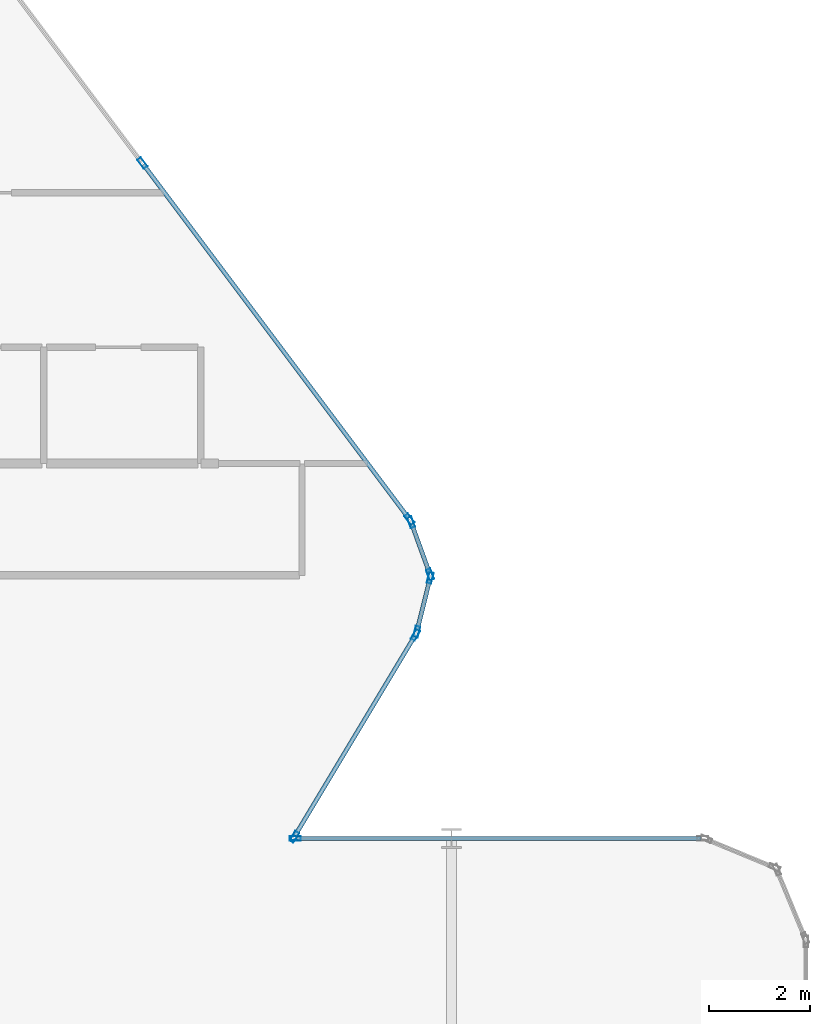
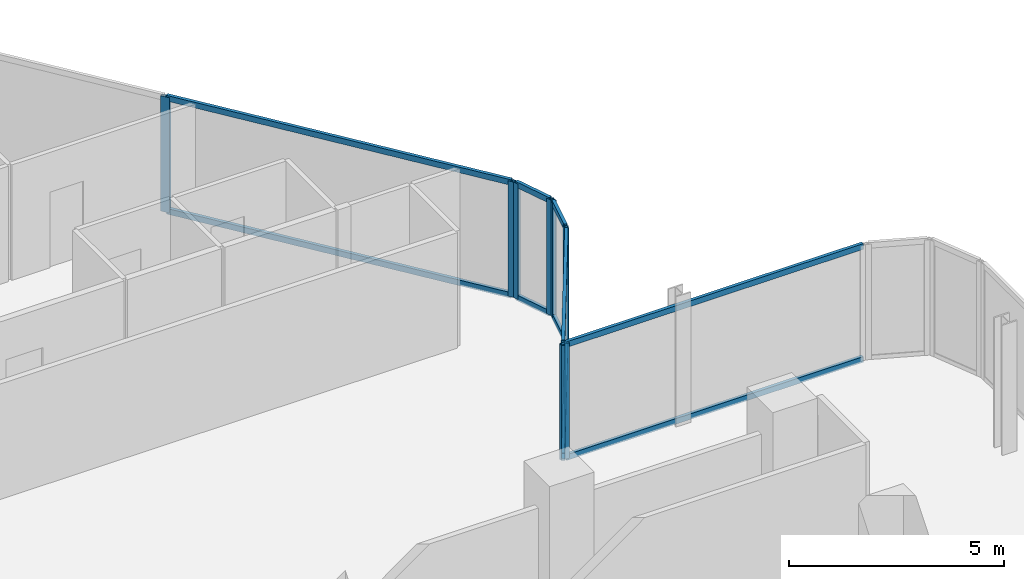
# One storey, part 15 of 33: 19 members, 5 elements without a shape of their own.
"""IFC4 building model written with IfcOpenShell, lengths in metres."""

import ifcopenshell
import ifcopenshell.guid

model = None  # the IFC model being written
_history = None  # IfcOwnerHistory: only IFC2X3 demands one
_inside = {}  # id of a spatial element -> (the spatial element, [elements in it])
_under = {}  # id of a project, library or spatial element -> (it, [spatial elements below it])
_declared = {}  # id of a project -> (the project, [libraries it declares])
_typed = {}  # id of a type object -> (the type object, [elements of that type])
_made_of = {}  # id of a material, layer set ... -> (it, [elements and type objects made of it])


def new_model(schema):
    """Start an empty IFC model of exactly this schema.

    Asked for "IFC4X3", IfcOpenShell would pick the latest addendum, in which some entities
    have other attributes; the version numbers below select the first issue.
    IFC2X3 requires an IfcOwnerHistory on every rooted entity: one is made here for all.
    """
    global model, _history
    if schema == "IFC4X3":
        model = ifcopenshell.file(schema_version=(4, 3, 0, 0))
    else:
        model = ifcopenshell.file(schema=schema)
    _inside.clear()
    _under.clear()
    _declared.clear()
    _typed.clear()
    _made_of.clear()
    _history = None
    if model.schema == "IFC2X3":
        org = make("IfcOrganization", Name="unknown")
        user = make(
            "IfcPersonAndOrganization",
            ThePerson=make("IfcPerson", FamilyName="unknown"),
            TheOrganization=org,
        )
        app = make(
            "IfcApplication",
            ApplicationDeveloper=org,
            Version="unknown",
            ApplicationFullName="unknown",
            ApplicationIdentifier="unknown",
        )
        _history = make(
            "IfcOwnerHistory",
            OwningUser=user,
            OwningApplication=app,
            ChangeAction="ADDED",
            CreationDate=0,
        )
    return model


def make(cls, **values):
    """One entity of the class cls with the attributes given. An attribute that is None is left unset."""
    return model.create_entity(
        cls, **{name: value for name, value in values.items() if value is not None}
    )


def rooted(cls, **values):
    """An entity with a GlobalId (a new one), such as an element, a storey or a relation."""
    return make(cls, GlobalId=ifcopenshell.guid.new(), OwnerHistory=_history, **values)


def si_unit(unit_type, name, prefix=None):
    """IfcSIUnit, for example si_unit("LENGTHUNIT", "METRE", prefix="MILLI")."""
    return make("IfcSIUnit", UnitType=unit_type, Prefix=prefix, Name=name)


def assignment(units):
    """IfcUnitAssignment: the units of a project."""
    return None if units is None else make("IfcUnitAssignment", Units=units)


def point(xyz):
    """IfcCartesianPoint."""
    return None if xyz is None else make("IfcCartesianPoint", Coordinates=xyz)


def direction(xyz):
    """IfcDirection."""
    return None if xyz is None else make("IfcDirection", DirectionRatios=xyz)


def frame(location, z_axis=None, x_axis=None):
    """IfcAxis2Placement3D, a coordinate frame: its origin and axes. An axis left out is left unset."""
    return make(
        "IfcAxis2Placement3D",
        Location=point(location),
        Axis=direction(z_axis),
        RefDirection=direction(x_axis),
    )


def frame_2d(location, x_axis=None):
    """IfcAxis2Placement2D, a coordinate frame in the plane: its origin and x axis."""
    return make(
        "IfcAxis2Placement2D", Location=point(location), RefDirection=direction(x_axis)
    )


def origin():
    """The frame at (0, 0, 0) with its axes left unset."""
    return frame((0.0, 0.0, 0.0))


def origin_2d():
    """The frame at (0, 0) in the plane with its x axis left unset."""
    return frame_2d((0.0, 0.0))


def place(relative_to, where):
    """IfcLocalPlacement: puts the frame where relative to a parent placement (None: the world)."""
    return make(
        "IfcLocalPlacement", PlacementRelTo=relative_to, RelativePlacement=where
    )


def context(
    kind, dimensions, precision=None, world=None, true_north=None, identifier=None
):
    """IfcGeometricRepresentationContext, for example the 3D "Model" context."""
    return make(
        "IfcGeometricRepresentationContext",
        ContextIdentifier=identifier,
        ContextType=kind,
        CoordinateSpaceDimension=dimensions,
        Precision=precision,
        WorldCoordinateSystem=world,
        TrueNorth=true_north,
    )


def subcontext(parent, identifier, kind, view, scale=None):
    """IfcGeometricRepresentationSubContext, for example "Body" below "Model"."""
    return make(
        "IfcGeometricRepresentationSubContext",
        ContextIdentifier=identifier,
        ContextType=kind,
        ParentContext=parent,
        TargetScale=scale,
        TargetView=view,
    )


def project(units=None, contexts=None):
    """IfcProject with its units and contexts."""
    return rooted(
        "IfcProject",
        Name="project",
        RepresentationContexts=contexts,
        UnitsInContext=assignment(units),
    )


def spatial(cls, under=None, at=None, **own):
    """A site, building, storey or space (cls), placed at a placement, below another one or the project."""
    s = rooted(cls, ObjectPlacement=at, **own)
    if under is not None:
        _under.setdefault(under.id(), (under, []))[1].append(s)
    return s


def profile(cls, at=None, kind="AREA", **sizes):
    """A parametric profile (cls). Its sizes go by their IFC names, for example OverallWidth=200.0."""
    return make(cls, ProfileType=kind, Position=at, **sizes)


def hollow_rectangle(**sizes):
    """IfcRectangleHollowProfileDef."""
    return profile("IfcRectangleHollowProfileDef", **sizes)


def extrude(swept, where, along, depth):
    """IfcExtrudedAreaSolid: the profile swept, set in the frame where, extruded along a direction by depth."""
    return make(
        "IfcExtrudedAreaSolid",
        SweptArea=swept,
        Position=where,
        ExtrudedDirection=direction(along),
        Depth=depth,
    )


def shape(context_of_items, identifier, shape_type, items):
    """IfcShapeRepresentation: the items that make up one representation, for example the "Body"."""
    return make(
        "IfcShapeRepresentation",
        ContextOfItems=context_of_items,
        RepresentationIdentifier=identifier,
        RepresentationType=shape_type,
        Items=items,
    )


def material(Name=None, Category=None):
    """IfcMaterial."""
    return make("IfcMaterial", Name=Name, Category=Category)


def layer(
    of_material, thickness, ventilated=None, Name=None, Category=None, Priority=None
):
    """IfcMaterialLayer: one layer of a wall or slab, of a material (None: an air gap)."""
    return make(
        "IfcMaterialLayer",
        Material=of_material,
        LayerThickness=thickness,
        IsVentilated=ventilated,
        Name=Name,
        Category=Category,
        Priority=Priority,
    )


def layer_set(layers, Name=None):
    """IfcMaterialLayerSet."""
    return make("IfcMaterialLayerSet", MaterialLayers=layers, LayerSetName=Name)


def material_profile(
    of_material, cross_section, Name=None, Category=None, Priority=None
):
    """IfcMaterialProfile: a cross section and its material."""
    return make(
        "IfcMaterialProfile",
        Name=Name,
        Material=of_material,
        Profile=cross_section,
        Priority=Priority,
        Category=Category,
    )


def profile_set(profiles, Name=None, composite=None):
    """IfcMaterialProfileSet."""
    return make(
        "IfcMaterialProfileSet",
        Name=Name,
        MaterialProfiles=profiles,
        CompositeProfile=composite,
    )


def made_of(thing, what):
    """Note that an element or type object is made of a material, layer set ...; save() writes the relation."""
    if what is not None:
        _made_of.setdefault(what.id(), (what, []))[1].append(thing)
    return thing


def type_object(cls, material=None, **own):
    """A type object (cls), such as IfcWallType, which elements share."""
    return made_of(rooted(cls, **own), material)


def element(
    cls,
    number,
    at=None,
    inside=None,
    cuts=None,
    type_object=None,
    material=None,
    context=None,
    identifier="Body",
    shape_type=None,
    held_by="IfcProductDefinitionShape",
    body=None,
    shapes=None,
    **own,
):
    """One element of the class cls, such as IfcWall. Its Tag is "e" and its number.

    at: its placement. inside: the storey or other place that contains it. cuts: it is an
    opening in that element (IfcRelVoidsElement). A single representation is given by context,
    identifier, shape_type and body (its items); several are given by shapes. held_by: the class
    of the entity that holds the representations. save() writes the other relations.
    """
    e = rooted(cls, Tag="e%d" % number, ObjectPlacement=at, **own)
    if body is not None:
        shapes = [shape(context, identifier, shape_type, body)]
    if shapes is not None:
        e.Representation = make(held_by, Representations=shapes)
    if inside is not None:
        _inside.setdefault(inside.id(), (inside, []))[1].append(e)
    if cuts is not None:
        rooted(
            "IfcRelVoidsElement", RelatingBuildingElement=cuts, RelatedOpeningElement=e
        )
    if type_object is not None:
        _typed.setdefault(type_object.id(), (type_object, []))[1].append(e)
    return made_of(e, material)


def aggregate(whole, parts):
    """IfcRelAggregates: a whole, such as a stair, and the parts it consists of."""
    return rooted("IfcRelAggregates", RelatingObject=whole, RelatedObjects=parts)


def save(model, path):
    """Write the relations noted so far, then the file.

    IfcRelAggregates (storeys below a building ...), IfcRelContainedInSpatialStructure (elements
    in a storey), IfcRelDefinesByType, IfcRelAssociatesMaterial and IfcRelDeclares: one each for
    every whole, place, type object, material and project.
    """
    for whole, parts in _under.values():
        aggregate(whole, parts)
    for where, things in _inside.values():
        rooted(
            "IfcRelContainedInSpatialStructure",
            RelatedElements=things,
            RelatingStructure=where,
        )
    for kind, things in _typed.values():
        rooted("IfcRelDefinesByType", RelatedObjects=things, RelatingType=kind)
    for what, things in _made_of.values():
        rooted("IfcRelAssociatesMaterial", RelatedObjects=things, RelatingMaterial=what)
    for by, libraries in _declared.values():
        rooted("IfcRelDeclares", RelatingContext=by, RelatedDefinitions=libraries)
    model.write(path)


model = new_model("IFC4")

# Units and contexts
model_context = context("Model", 3, precision=1e-05, world=origin(), true_north=direction((0.0, 1.0)))
body_context = subcontext(model_context, "Body", "Model", "MODEL_VIEW")
ifc_project = project(units=[si_unit("LENGTHUNIT", "METRE"), si_unit("AREAUNIT", "SQUARE_METRE"), si_unit("VOLUMEUNIT", "CUBIC_METRE"), si_unit("PLANEANGLEUNIT", "RADIAN"), si_unit("MASSUNIT", "GRAM", prefix="KILO")], contexts=[model_context])

# Site, building, storey
site_placement = place(None, origin())
site = spatial("IfcSite", under=ifc_project, at=site_placement, CompositionType="ELEMENT")
building_placement = place(site_placement, origin())
building = spatial("IfcBuilding", under=site, at=building_placement, Name="Keshet Zoharim Tower", CompositionType="ELEMENT")
storey_placement = place(building_placement, frame((0.0, 0.0, 57.300048828125)))
storey = spatial("IfcBuildingStorey", under=building, at=storey_placement, Name="L13", CompositionType="ELEMENT", Elevation=57.300048828125)

# Curtain wall, members
ifc_material = material(Name="Aluminium 6063-T6", Category="aluminium")
ifc_layer_1 = layer(ifc_material, 0.169921875)
ifc_layer_set_1 = layer_set([ifc_layer_1], Name="Aluminium 6063-T6")
curtain_wall_type_1 = type_object("IfcCurtainWallType", Name="CW-SYS-02", PredefinedType="NOTDEFINED", material=ifc_layer_set_1)
curtain_wall_1_placement = place(storey_placement, origin())
curtain_wall_1 = element("IfcCurtainWall", 1, at=curtain_wall_1_placement, inside=storey, type_object=curtain_wall_type_1, Name="L13 Unitised Curtain Wall 09", PredefinedType="NOTDEFINED")
ifc_material_profile_1 = material_profile(ifc_material, hollow_rectangle(XDim=0.090087890625, YDim=0.219970703125, WallThickness=0.0048828125, at=origin_2d()), Name="MUL-90x220")
ifc_profile_set_1 = profile_set([ifc_material_profile_1], Name="Aluminium 6063-T6")
member_type_1 = type_object("IfcMemberType", Name="CWM-M22", PredefinedType="MULLION", material=ifc_profile_set_1)
member_1_placement = place(storey_placement, frame((56.896484375, 46.0380859375, 0.0), z_axis=(0.0, 0.0, 1.0), x_axis=(0.799999999998, 0.600000000002, 0.0)))
member_1 = element("IfcMember", 2, at=member_1_placement, type_object=member_type_1, Name="CW-02 mullion 2", PredefinedType="MULLION", context=body_context, shape_type="SweptSolid", body=[
    extrude(hollow_rectangle(XDim=0.090087890625, YDim=0.219970703125, WallThickness=0.0048828125, at=origin_2d()), origin(), (0.0, 0.0, 1.0), 3.280029296875),
])
member_2_placement = place(storey_placement, frame((62.172119140625, 39.00390625, 0.0), z_axis=(0.0, 0.0, 1.0), x_axis=(0.799999999998, 0.600000000002, 0.0)))
member_2 = element("IfcMember", 3, at=member_2_placement, type_object=member_type_1, Name="CW-02 mullion 3", PredefinedType="MULLION", context=body_context, shape_type="SweptSolid", body=[
    extrude(hollow_rectangle(XDim=0.090087890625, YDim=0.219970703125, WallThickness=0.0048828125, at=origin_2d()), origin(), (0.0, 0.0, 1.0), 3.280029296875),
])

curtain_wall_2_placement = place(storey_placement, origin())
curtain_wall_2 = element("IfcCurtainWall", 4, at=curtain_wall_2_placement, inside=storey, type_object=curtain_wall_type_1, Name="L13 Unitised Curtain Wall 10", PredefinedType="NOTDEFINED")
member_3_placement = place(storey_placement, frame((62.204833984375, 38.943115234375, 0.0), z_axis=(0.0, 0.0, 1.0), x_axis=(0.940317877544, 0.340297354046, 0.0)))
member_3 = element("IfcMember", 5, at=member_3_placement, type_object=member_type_1, Name="CW-02 mullion 1", PredefinedType="MULLION", context=body_context, shape_type="SweptSolid", body=[
    extrude(hollow_rectangle(XDim=0.090087890625, YDim=0.219970703125, WallThickness=0.0048828125, at=origin_2d()), origin(), (0.0, 0.0, 1.0), 3.280029296875),
])
member_4_placement = place(storey_placement, frame((62.578125, 37.911865234375, 0.0), z_axis=(0.0, 0.0, 1.0), x_axis=(0.940317877544, 0.340297354046, 0.0)))
member_4 = element("IfcMember", 6, at=member_4_placement, type_object=member_type_1, Name="CW-02 mullion 2", PredefinedType="MULLION", context=body_context, shape_type="SweptSolid", body=[
    extrude(hollow_rectangle(XDim=0.090087890625, YDim=0.219970703125, WallThickness=0.0048828125, at=origin_2d()), origin(), (0.0, 0.0, 1.0), 3.280029296875),
])

curtain_wall_3_placement = place(storey_placement, origin())
curtain_wall_3 = element("IfcCurtainWall", 7, at=curtain_wall_3_placement, inside=storey, type_object=curtain_wall_type_1, Name="L13 Unitised Curtain Wall 11", PredefinedType="NOTDEFINED")
member_5_placement = place(storey_placement, frame((62.58154296875, 37.844970703125, 0.0), z_axis=(0.0, 0.0, 1.0), x_axis=(0.970343857447, -0.241728770141, 0.0)))
member_5 = element("IfcMember", 8, at=member_5_placement, type_object=member_type_1, Name="CW-02 mullion 1", PredefinedType="MULLION", context=body_context, shape_type="SweptSolid", body=[
    extrude(hollow_rectangle(XDim=0.090087890625, YDim=0.219970703125, WallThickness=0.0048828125, at=origin_2d()), origin(), (0.0, 0.0, 1.0), 3.280029296875),
])
member_6_placement = place(storey_placement, frame((62.31640625, 36.781005859375, 0.0), z_axis=(0.0, 0.0, 1.0), x_axis=(0.970343857447, -0.241728770141, 0.0)))
member_6 = element("IfcMember", 9, at=member_6_placement, type_object=member_type_1, Name="CW-02 mullion 2", PredefinedType="MULLION", context=body_context, shape_type="SweptSolid", body=[
    extrude(hollow_rectangle(XDim=0.090087890625, YDim=0.219970703125, WallThickness=0.0048828125, at=origin_2d()), origin(), (0.0, 0.0, 1.0), 3.280029296875),
])

ifc_layer_2 = layer(ifc_material, 0.179931640625)
ifc_layer_set_2 = layer_set([ifc_layer_2], Name="Aluminium 6063-T6")
curtain_wall_type_2 = type_object("IfcCurtainWallType", Name="CW-SYS-01", PredefinedType="NOTDEFINED", material=ifc_layer_set_2)
curtain_wall_4_placement = place(storey_placement, origin())
curtain_wall_4 = element("IfcCurtainWall", 10, at=curtain_wall_4_placement, inside=storey, type_object=curtain_wall_type_2, Name="L13 Unitised Curtain Wall 12", PredefinedType="NOTDEFINED")
member_7_placement = place(storey_placement, frame((62.2900390625, 36.717041015625, 0.0), z_axis=(0.0, 0.0, 1.0), x_axis=(0.857511621163, -0.51446459506, 0.0)))
member_7 = element("IfcMember", 11, at=member_7_placement, type_object=member_type_1, Name="CW-01 mullion 1", PredefinedType="MULLION", context=body_context, shape_type="SweptSolid", body=[
    extrude(hollow_rectangle(XDim=0.090087890625, YDim=0.219970703125, WallThickness=0.0048828125, at=origin_2d()), origin(), (0.0, 0.0, 1.0), 3.280029296875),
])
member_8_placement = place(storey_placement, frame((59.89794921875, 32.72998046875, 0.0), z_axis=(0.0, 0.0, 1.0), x_axis=(0.857511621163, -0.51446459506, 0.0)))
member_8 = element("IfcMember", 12, at=member_8_placement, type_object=member_type_1, Name="CW-01 mullion 2", PredefinedType="MULLION", context=body_context, shape_type="SweptSolid", body=[
    extrude(hollow_rectangle(XDim=0.090087890625, YDim=0.219970703125, WallThickness=0.0048828125, at=origin_2d()), origin(), (0.0, 0.0, 1.0), 3.280029296875),
])

# Curtain wall, member
curtain_wall_5_placement = place(storey_placement, origin())
curtain_wall_5 = element("IfcCurtainWall", 13, at=curtain_wall_5_placement, inside=storey, type_object=curtain_wall_type_1, Name="L13 Unitised Curtain Wall 13", PredefinedType="NOTDEFINED")
member_9_placement = place(storey_placement, frame((59.9150390625, 32.699951171875, 0.0), z_axis=(0.0, 0.0, 1.0), x_axis=(0.0, 1.0, 0.0)))
member_9 = element("IfcMember", 14, at=member_9_placement, type_object=member_type_1, Name="CW-02 mullion 1", PredefinedType="MULLION", context=body_context, shape_type="SweptSolid", body=[
    extrude(hollow_rectangle(XDim=0.090087890625, YDim=0.219970703125, WallThickness=0.0048828125, at=origin_2d()), origin(), (0.0, 0.0, 1.0), 3.280029296875),
])

# Member
ifc_material_profile_2 = material_profile(ifc_material, hollow_rectangle(XDim=0.0849609375, YDim=0.159912109375, WallThickness=0.00439453125, at=origin_2d()), Name="TRN-85x160")
ifc_profile_set_2 = profile_set([ifc_material_profile_2], Name="Aluminium 6063-T6")
member_type_2 = type_object("IfcMemberType", Name="CWT-T16", PredefinedType="USERDEFINED", material=ifc_profile_set_2)
member_10_placement = place(storey_placement, frame((56.91748046875, 46.010009765625, 0.034912109375), z_axis=(0.599991043201, -0.800006717521, 0.0), x_axis=(0.800006717521, 0.599991043201, 0.0)))
member_10 = element("IfcMember", 15, at=member_10_placement, type_object=member_type_2, Name="CW-02 transom 2.1", ObjectType="TRANSOM", PredefinedType="USERDEFINED", context=body_context, shape_type="SweptSolid", body=[
    extrude(hollow_rectangle(XDim=0.0849609375, YDim=0.159912109375, WallThickness=0.00439453125, at=origin_2d()), origin(), (0.0, 0.0, 1.0), 8.722412109375),
])

member_11_placement = place(storey_placement, frame((56.91748046875, 46.010009765625, 3.244873046875), z_axis=(0.599991043201, -0.800006717521, 0.0), x_axis=(0.800006717521, 0.599991043201, 0.0)))
member_11 = element("IfcMember", 16, at=member_11_placement, type_object=member_type_2, Name="CW-02 transom 2.2", ObjectType="TRANSOM", PredefinedType="USERDEFINED", context=body_context, shape_type="SweptSolid", body=[
    extrude(hollow_rectangle(XDim=0.0849609375, YDim=0.159912109375, WallThickness=0.00439453125, at=origin_2d()), origin(), (0.0, 0.0, 1.0), 8.722412109375),
])

aggregate(curtain_wall_1, [member_1, member_2, member_10, member_11])

member_12_placement = place(storey_placement, frame((62.216796875, 38.91015625, 0.034912109375), z_axis=(0.340310579984, -0.940313091024, 0.0), x_axis=(0.940313091024, 0.340310579984, 0.0)))
member_12 = element("IfcMember", 17, at=member_12_placement, type_object=member_type_2, Name="CW-02 transom 1.1", ObjectType="TRANSOM", PredefinedType="USERDEFINED", context=body_context, shape_type="SweptSolid", body=[
    extrude(hollow_rectangle(XDim=0.0849609375, YDim=0.159912109375, WallThickness=0.00439453125, at=origin_2d()), origin(), (0.0, 0.0, 1.0), 1.026611328125),
])

member_13_placement = place(storey_placement, frame((62.216796875, 38.91015625, 3.244873046875), z_axis=(0.340310579984, -0.940313091024, 0.0), x_axis=(0.940313091024, 0.340310579984, 0.0)))
member_13 = element("IfcMember", 18, at=member_13_placement, type_object=member_type_2, Name="CW-02 transom 1.2", ObjectType="TRANSOM", PredefinedType="USERDEFINED", context=body_context, shape_type="SweptSolid", body=[
    extrude(hollow_rectangle(XDim=0.0849609375, YDim=0.159912109375, WallThickness=0.00439453125, at=origin_2d()), origin(), (0.0, 0.0, 1.0), 1.026611328125),
])

aggregate(curtain_wall_2, [member_3, member_4, member_12, member_13])

member_14_placement = place(storey_placement, frame((62.572998046875, 37.81103515625, 0.034912109375), z_axis=(-0.241640143717, -0.970365931463, 0.0), x_axis=(0.970365931463, -0.241640143717, 0.0)))
member_14 = element("IfcMember", 19, at=member_14_placement, type_object=member_type_2, Name="CW-02 transom 1.1", ObjectType="TRANSOM", PredefinedType="USERDEFINED", context=body_context, shape_type="SweptSolid", body=[
    extrude(hollow_rectangle(XDim=0.0849609375, YDim=0.159912109375, WallThickness=0.00439453125, at=origin_2d()), origin(), (0.0, 0.0, 1.0), 1.026611328125),
])

member_15_placement = place(storey_placement, frame((62.572998046875, 37.81103515625, 3.244873046875), z_axis=(-0.241640143717, -0.970365931463, 0.0), x_axis=(0.970365931463, -0.241640143717, 0.0)))
member_15 = element("IfcMember", 20, at=member_15_placement, type_object=member_type_2, Name="CW-02 transom 1.2", ObjectType="TRANSOM", PredefinedType="USERDEFINED", context=body_context, shape_type="SweptSolid", body=[
    extrude(hollow_rectangle(XDim=0.0849609375, YDim=0.159912109375, WallThickness=0.00439453125, at=origin_2d()), origin(), (0.0, 0.0, 1.0), 1.026611328125),
])

aggregate(curtain_wall_3, [member_5, member_6, member_14, member_15])

member_16_placement = place(storey_placement, frame((62.27197265625, 36.68701171875, 0.034912109375), z_axis=(-0.514456555213, -0.857516444622, 0.0), x_axis=(0.857516444622, -0.514456555213, 0.0)))
member_16 = element("IfcMember", 21, at=member_16_placement, type_object=member_type_2, Name="CW-01 transom 1.1", ObjectType="TRANSOM", PredefinedType="USERDEFINED", context=body_context, shape_type="SweptSolid", body=[
    extrude(hollow_rectangle(XDim=0.0849609375, YDim=0.159912109375, WallThickness=0.00439453125, at=origin_2d()), origin(), (0.0, 0.0, 1.0), 4.57958984375),
])

member_17_placement = place(storey_placement, frame((62.27197265625, 36.68701171875, 3.244873046875), z_axis=(-0.514456555213, -0.857516444622, 0.0), x_axis=(0.857516444622, -0.514456555213, 0.0)))
member_17 = element("IfcMember", 22, at=member_17_placement, type_object=member_type_2, Name="CW-01 transom 1.2", ObjectType="TRANSOM", PredefinedType="USERDEFINED", context=body_context, shape_type="SweptSolid", body=[
    extrude(hollow_rectangle(XDim=0.0849609375, YDim=0.159912109375, WallThickness=0.00439453125, at=origin_2d()), origin(), (0.0, 0.0, 1.0), 4.57958984375),
])

aggregate(curtain_wall_4, [member_7, member_8, member_16, member_17])

member_18_placement = place(storey_placement, frame((59.949951171875, 32.699951171875, 0.034912109375), z_axis=(1.0, 0.0, 0.0), x_axis=(0.0, 1.0, 0.0)))
member_18 = element("IfcMember", 23, at=member_18_placement, type_object=member_type_2, Name="CW-02 transom 1.1", ObjectType="TRANSOM", PredefinedType="USERDEFINED", context=body_context, shape_type="SweptSolid", body=[
    extrude(hollow_rectangle(XDim=0.0849609375, YDim=0.159912109375, WallThickness=0.00439453125, at=origin_2d()), origin(), (0.0, 0.0, 1.0), 7.97998046875),
])

member_19_placement = place(storey_placement, frame((59.949951171875, 32.699951171875, 3.244873046875), z_axis=(1.0, 0.0, 0.0), x_axis=(0.0, 1.0, 0.0)))
member_19 = element("IfcMember", 24, at=member_19_placement, type_object=member_type_2, Name="CW-02 transom 1.2", ObjectType="TRANSOM", PredefinedType="USERDEFINED", context=body_context, shape_type="SweptSolid", body=[
    extrude(hollow_rectangle(XDim=0.0849609375, YDim=0.159912109375, WallThickness=0.00439453125, at=origin_2d()), origin(), (0.0, 0.0, 1.0), 7.97998046875),
])

aggregate(curtain_wall_5, [member_9, member_18, member_19])

save(model, "model.ifc")
